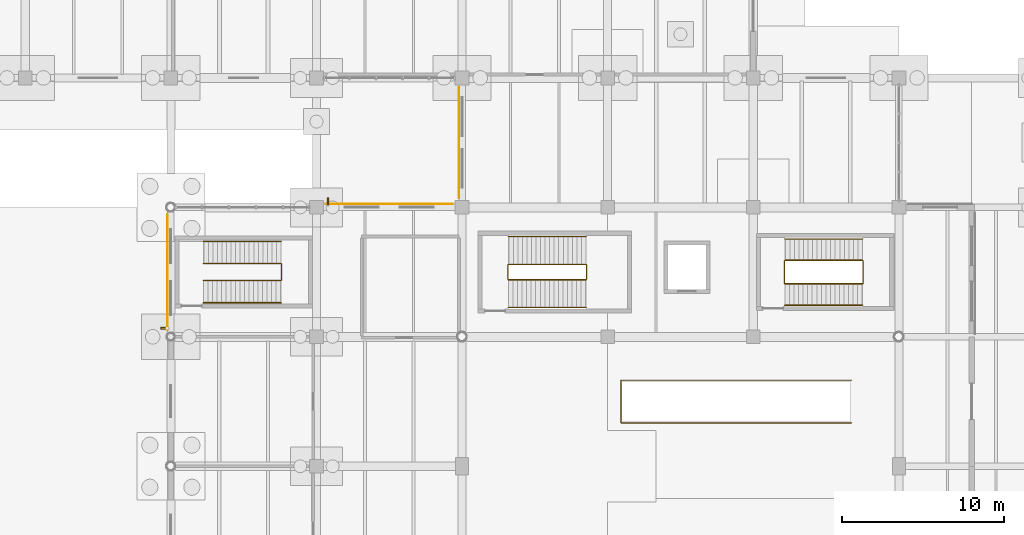
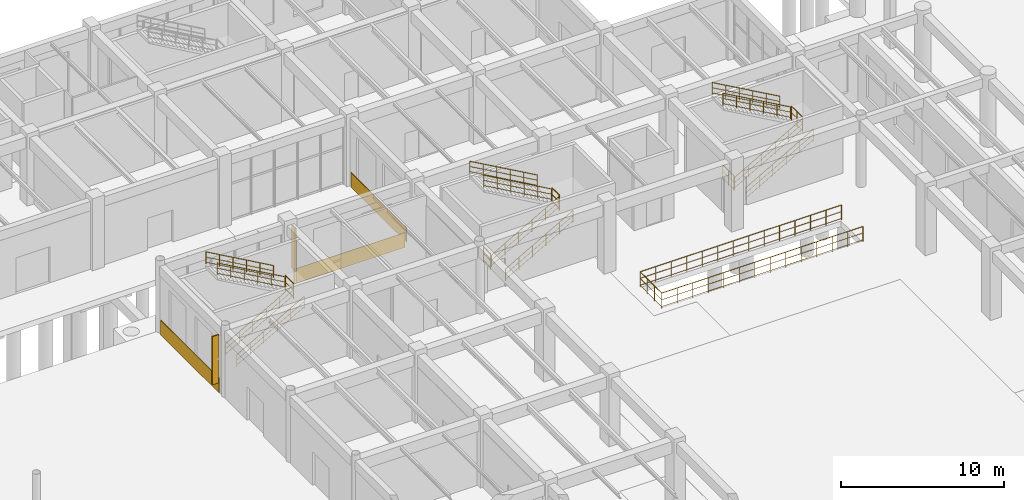
# One storey, part 113 of 121: 18 railings, 3 coverings, 2 shading devices.
"""IFC4 building model written with IfcOpenShell, lengths in metres."""

from ifc_helpers import new_model, si_unit, derived_unit, direction, frame, origin, origin_2d, place, context, subcontext, project, spatial, rectangle, circle, extrude, material, layer, layer_set, type_object, element, save


model = new_model("IFC4")

# Units and contexts
model_context = context("Model", 3, precision=1e-05, world=origin(), true_north=direction((0.0, 1.0)))
body_context = subcontext(model_context, "Body", "Model", "MODEL_VIEW")
ifc_project = project(units=[si_unit("LENGTHUNIT", "METRE"), si_unit("AREAUNIT", "SQUARE_METRE"), si_unit("VOLUMEUNIT", "CUBIC_METRE"), si_unit("PLANEANGLEUNIT", "RADIAN"), si_unit("MASSUNIT", "GRAM", prefix="KILO"), derived_unit("THERMALTRANSMITTANCEUNIT", [(si_unit("MASSUNIT", "GRAM", prefix="KILO"), 1), (si_unit("TIMEUNIT", "SECOND"), -3), (si_unit("THERMODYNAMICTEMPERATUREUNIT", "KELVIN"), -1)])], contexts=[model_context])

# Site, building, storey
site_placement = place(None, origin())
site = spatial("IfcSite", under=ifc_project, at=site_placement, CompositionType="ELEMENT")
building_placement = place(site_placement, origin())
building = spatial("IfcBuilding", under=site, at=building_placement, Name="Zhenchuan Archway Interchange", CompositionType="ELEMENT")
storey_placement = place(building_placement, origin())
storey = spatial("IfcBuildingStorey", under=building, at=storey_placement, Name="L00", CompositionType="ELEMENT", Elevation=0.0)

# Coverings
ifc_material_1 = material(Name="Granite Stone Cladding", Category="masonry")
ifc_layer = layer(ifc_material_1, 0.0400390625)
ifc_layer_set = layer_set([ifc_layer], Name="Granite Stone Cladding")
covering_type = type_object("IfcCoveringType", Name="COV_CLAD_GRANITE", PredefinedType="CLADDING", material=ifc_layer_set)
covering_1_placement = place(storey_placement, frame((17.802001953125, 83.9873046875, 0.0), z_axis=(0.0, 0.0, 1.0), x_axis=(0.0, 1.0, 0.0)))
element("IfcCovering", 1, at=covering_1_placement, inside=storey, type_object=covering_type, Name="Pearl-grey granite plinth band 011", PredefinedType="CLADDING", context=body_context, shape_type="SweptSolid", body=[
    extrude(rectangle(XDim=7.172607421875, YDim=0.0400390625, at=origin_2d()), origin(), (0.0, 0.0, 1.0), 1.10009765625),
])
covering_2_placement = place(storey_placement, frame((31.5, 88.197998046875, 0.0), z_axis=(0.0, 0.0, 1.0), x_axis=(1.0, 0.0, 0.0)))
element("IfcCovering", 2, at=covering_2_placement, inside=storey, type_object=covering_type, Name="Pearl-grey granite plinth band 013", PredefinedType="CLADDING", context=body_context, shape_type="SweptSolid", body=[
    extrude(rectangle(XDim=7.85400390625, YDim=0.0400390625, at=origin_2d()), origin(), (0.0, 0.0, 1.0), 1.10009765625),
])
covering_3_placement = place(storey_placement, frame((35.802001953125, 92.0, 0.0), z_axis=(0.0, 0.0, 1.0), x_axis=(0.0, 1.0, 0.0)))
element("IfcCovering", 3, at=covering_3_placement, inside=storey, type_object=covering_type, Name="Pearl-grey granite plinth band 014", PredefinedType="CLADDING", context=body_context, shape_type="SweptSolid", body=[
    extrude(rectangle(XDim=6.85400390625, YDim=0.0400390625, at=origin_2d()), origin(), (0.0, 0.0, 1.0), 1.10009765625),
])

# Railings
ifc_material_2 = material(Name="Painted Galvanised Steel", Category="steel")
railing_type_1 = type_object("IfcRailingType", Name="RL_GUARD_1150", PredefinedType="GUARDRAIL", material=ifc_material_2)
for number, where, name in (
    (4, (43.695068359375, 83.56494140625, 2.699951171875), "Stair ST-M2 half-landing slot guard (L00)"),
    (5, (38.8349609375, 83.56494140625, 0.0), "Stair ST-M2 floor well guard (L00)"),
):
    element("IfcRailing", number, at=place(storey_placement, frame(where)), inside=storey, type_object=railing_type_1, Name=name, PredefinedType="GUARDRAIL", context=body_context, shape_type="SweptSolid", body=[
        extrude(circle(Radius=0.02392578125, at=origin_2d()), frame((0.0, 0.0, 1.1259765625), z_axis=(0.0, 1.0, 0.0), x_axis=(-1.0, 0.0, 0.0)), (0.0, 0.0, 1.0), 0.8701171875),
        extrude(circle(Radius=0.01611328125, at=origin_2d()), frame((0.0, 0.0, 0.63232421875), z_axis=(0.0, 1.0, 0.0), x_axis=(-1.0, 0.0, 0.0)), (0.0, 0.0, 1.0), 0.8701171875),
        extrude(circle(Radius=0.01611328125, at=origin_2d()), frame((0.0, 0.0, 0.1201171875), z_axis=(0.0, 1.0, 0.0), x_axis=(-1.0, 0.0, 0.0)), (0.0, 0.0, 1.0), 0.8701171875),
        extrude(circle(Radius=0.02099609375, at=origin_2d()), origin(), (0.0, 0.0, 1.0), 1.1259765625),
        extrude(circle(Radius=0.02099609375, at=origin_2d()), frame((0.0, 0.8701171875, 0.0)), (0.0, 0.0, 1.0), 1.1259765625),
    ])
for number, where, name in (
    (6, (60.784912109375, 83.31494140625, 2.699951171875), "Stair ST-M4 half-landing slot guard (L00)"),
    (7, (55.925048828125, 83.31494140625, 0.0), "Stair ST-M4 floor well guard (L00)"),
):
    element("IfcRailing", number, at=place(storey_placement, frame(where)), inside=storey, type_object=railing_type_1, Name=name, PredefinedType="GUARDRAIL", context=body_context, shape_type="SweptSolid", body=[
        extrude(circle(Radius=0.02392578125, at=origin_2d()), frame((0.0, 0.0, 1.1259765625), z_axis=(0.0, 1.0, 0.0), x_axis=(-1.0, 0.0, 0.0)), (0.0, 0.0, 1.0), 1.3701171875),
        extrude(circle(Radius=0.01611328125, at=origin_2d()), frame((0.0, 0.0, 0.63232421875), z_axis=(0.0, 1.0, 0.0), x_axis=(-1.0, 0.0, 0.0)), (0.0, 0.0, 1.0), 1.3701171875),
        extrude(circle(Radius=0.01611328125, at=origin_2d()), frame((0.0, 0.0, 0.1201171875), z_axis=(0.0, 1.0, 0.0), x_axis=(-1.0, 0.0, 0.0)), (0.0, 0.0, 1.0), 1.3701171875),
        extrude(circle(Radius=0.02099609375, at=origin_2d()), origin(), (0.0, 0.0, 1.0), 1.1259765625),
        extrude(circle(Radius=0.02099609375, at=origin_2d()), frame((0.0, 0.68505859375, 0.0)), (0.0, 0.0, 1.0), 1.1259765625),
        extrude(circle(Radius=0.02099609375, at=origin_2d()), frame((0.0, 1.3701171875, 0.0)), (0.0, 0.0, 1.0), 1.1259765625),
    ])
railing_1_placement = place(storey_placement, frame((24.844970703125, 83.514892578125, 2.699951171875)))
element("IfcRailing", 8, at=railing_1_placement, inside=storey, type_object=railing_type_1, Name="Stair ST-B2 half-landing slot guard (L00)", PredefinedType="GUARDRAIL", context=body_context, shape_type="SweptSolid", body=[
    extrude(circle(Radius=0.02392578125, at=origin_2d()), frame((0.0, 0.0, 1.1259765625), z_axis=(0.0, 1.0, 0.0), x_axis=(-1.0, 0.0, 0.0)), (0.0, 0.0, 1.0), 0.97021484375),
    extrude(circle(Radius=0.01611328125, at=origin_2d()), frame((0.0, 0.0, 0.63232421875), z_axis=(0.0, 1.0, 0.0), x_axis=(-1.0, 0.0, 0.0)), (0.0, 0.0, 1.0), 0.97021484375),
    extrude(circle(Radius=0.01611328125, at=origin_2d()), frame((0.0, 0.0, 0.1201171875), z_axis=(0.0, 1.0, 0.0), x_axis=(-1.0, 0.0, 0.0)), (0.0, 0.0, 1.0), 0.97021484375),
    extrude(circle(Radius=0.02099609375, at=origin_2d()), origin(), (0.0, 0.0, 1.0), 1.1259765625),
    extrude(circle(Radius=0.02099609375, at=origin_2d()), frame((0.0, 0.97021484375, 0.0)), (0.0, 0.0, 1.0), 1.1259765625),
])
railing_2_placement = place(storey_placement, frame((60.080078125, 74.679931640625, 0.0)))
element("IfcRailing", 9, at=railing_2_placement, inside=storey, type_object=railing_type_1, Name="Stair ST-P4 void perimeter guard (L00)", PredefinedType="GUARDRAIL", context=body_context, shape_type="SweptSolid", body=[
    extrude(circle(Radius=0.02392578125, at=origin_2d()), frame((0.0, 0.0, 1.1259765625), z_axis=(-1.0, 0.0, 0.0), x_axis=(0.0, -1.0, 0.0)), (0.0, 0.0, 1.0), 14.260009765625),
    extrude(circle(Radius=0.01611328125, at=origin_2d()), frame((0.0, 0.0, 0.63232421875), z_axis=(-1.0, 0.0, 0.0), x_axis=(0.0, -1.0, 0.0)), (0.0, 0.0, 1.0), 14.260009765625),
    extrude(circle(Radius=0.01611328125, at=origin_2d()), frame((0.0, 0.0, 0.1201171875), z_axis=(-1.0, 0.0, 0.0), x_axis=(0.0, -1.0, 0.0)), (0.0, 0.0, 1.0), 14.260009765625),
    extrude(circle(Radius=0.02392578125, at=origin_2d()), frame((-14.260009765625, 0.0, 1.1259765625), z_axis=(0.0, 1.0, 0.0), x_axis=(-1.0, 0.0, 0.0)), (0.0, 0.0, 1.0), 2.64013671875),
    extrude(circle(Radius=0.01611328125, at=origin_2d()), frame((-14.260009765625, 0.0, 0.63232421875), z_axis=(0.0, 1.0, 0.0), x_axis=(-1.0, 0.0, 0.0)), (0.0, 0.0, 1.0), 2.64013671875),
    extrude(circle(Radius=0.01611328125, at=origin_2d()), frame((-14.260009765625, 0.0, 0.1201171875), z_axis=(0.0, 1.0, 0.0), x_axis=(-1.0, 0.0, 0.0)), (0.0, 0.0, 1.0), 2.64013671875),
    extrude(circle(Radius=0.02392578125, at=origin_2d()), frame((-14.260009765625, 2.64013671875, 1.1259765625), z_axis=(1.0, 0.0, 0.0), x_axis=(0.0, 1.0, 0.0)), (0.0, 0.0, 1.0), 14.260009765625),
    extrude(circle(Radius=0.01611328125, at=origin_2d()), frame((-14.260009765625, 2.64013671875, 0.63232421875), z_axis=(1.0, 0.0, 0.0), x_axis=(0.0, 1.0, 0.0)), (0.0, 0.0, 1.0), 14.260009765625),
    extrude(circle(Radius=0.01611328125, at=origin_2d()), frame((-14.260009765625, 2.64013671875, 0.1201171875), z_axis=(1.0, 0.0, 0.0), x_axis=(0.0, 1.0, 0.0)), (0.0, 0.0, 1.0), 14.260009765625),
    extrude(circle(Radius=0.02099609375, at=origin_2d()), origin(), (0.0, 0.0, 1.0), 1.1259765625),
    extrude(circle(Radius=0.02099609375, at=origin_2d()), frame((-1.096923828125, 0.0, 0.0)), (0.0, 0.0, 1.0), 1.1259765625),
    extrude(circle(Radius=0.02099609375, at=origin_2d()), frame((-2.19384765625, 0.0, 0.0)), (0.0, 0.0, 1.0), 1.1259765625),
    extrude(circle(Radius=0.02099609375, at=origin_2d()), frame((-3.290771484375, 0.0, 0.0)), (0.0, 0.0, 1.0), 1.1259765625),
    extrude(circle(Radius=0.02099609375, at=origin_2d()), frame((-4.3876953125, 0.0, 0.0)), (0.0, 0.0, 1.0), 1.1259765625),
    extrude(circle(Radius=0.02099609375, at=origin_2d()), frame((-5.484619140625, 0.0, 0.0)), (0.0, 0.0, 1.0), 1.1259765625),
    extrude(circle(Radius=0.02099609375, at=origin_2d()), frame((-6.58154296875, 0.0, 0.0)), (0.0, 0.0, 1.0), 1.1259765625),
    extrude(circle(Radius=0.02099609375, at=origin_2d()), frame((-7.678466796875, 0.0, 0.0)), (0.0, 0.0, 1.0), 1.1259765625),
    extrude(circle(Radius=0.02099609375, at=origin_2d()), frame((-8.775390625, 0.0, 0.0)), (0.0, 0.0, 1.0), 1.1259765625),
    extrude(circle(Radius=0.02099609375, at=origin_2d()), frame((-9.872314453125, 0.0, 0.0)), (0.0, 0.0, 1.0), 1.1259765625),
    extrude(circle(Radius=0.02099609375, at=origin_2d()), frame((-10.96923828125, 0.0, 0.0)), (0.0, 0.0, 1.0), 1.1259765625),
    extrude(circle(Radius=0.02099609375, at=origin_2d()), frame((-12.066162109375, 0.0, 0.0)), (0.0, 0.0, 1.0), 1.1259765625),
    extrude(circle(Radius=0.02099609375, at=origin_2d()), frame((-13.1630859375, 0.0, 0.0)), (0.0, 0.0, 1.0), 1.1259765625),
    extrude(circle(Radius=0.02099609375, at=origin_2d()), frame((-14.260009765625, 0.0, 0.0)), (0.0, 0.0, 1.0), 1.1259765625),
    extrude(circle(Radius=0.02099609375, at=origin_2d()), frame((-14.260009765625, 0.880126953125, 0.0)), (0.0, 0.0, 1.0), 1.1259765625),
    extrude(circle(Radius=0.02099609375, at=origin_2d()), frame((-14.260009765625, 1.760009765625, 0.0)), (0.0, 0.0, 1.0), 1.1259765625),
    extrude(circle(Radius=0.02099609375, at=origin_2d()), frame((-14.260009765625, 2.64013671875, 0.0)), (0.0, 0.0, 1.0), 1.1259765625),
    extrude(circle(Radius=0.02099609375, at=origin_2d()), frame((-13.1630859375, 2.64013671875, 0.0)), (0.0, 0.0, 1.0), 1.1259765625),
    extrude(circle(Radius=0.02099609375, at=origin_2d()), frame((-12.066162109375, 2.64013671875, 0.0)), (0.0, 0.0, 1.0), 1.1259765625),
    extrude(circle(Radius=0.02099609375, at=origin_2d()), frame((-10.96923828125, 2.64013671875, 0.0)), (0.0, 0.0, 1.0), 1.1259765625),
    extrude(circle(Radius=0.02099609375, at=origin_2d()), frame((-9.872314453125, 2.64013671875, 0.0)), (0.0, 0.0, 1.0), 1.1259765625),
    extrude(circle(Radius=0.02099609375, at=origin_2d()), frame((-8.775390625, 2.64013671875, 0.0)), (0.0, 0.0, 1.0), 1.1259765625),
    extrude(circle(Radius=0.02099609375, at=origin_2d()), frame((-7.678466796875, 2.64013671875, 0.0)), (0.0, 0.0, 1.0), 1.1259765625),
    extrude(circle(Radius=0.02099609375, at=origin_2d()), frame((-6.58154296875, 2.64013671875, 0.0)), (0.0, 0.0, 1.0), 1.1259765625),
    extrude(circle(Radius=0.02099609375, at=origin_2d()), frame((-5.484619140625, 2.64013671875, 0.0)), (0.0, 0.0, 1.0), 1.1259765625),
    extrude(circle(Radius=0.02099609375, at=origin_2d()), frame((-4.3876953125, 2.64013671875, 0.0)), (0.0, 0.0, 1.0), 1.1259765625),
    extrude(circle(Radius=0.02099609375, at=origin_2d()), frame((-3.290771484375, 2.64013671875, 0.0)), (0.0, 0.0, 1.0), 1.1259765625),
    extrude(circle(Radius=0.02099609375, at=origin_2d()), frame((-2.19384765625, 2.64013671875, 0.0)), (0.0, 0.0, 1.0), 1.1259765625),
    extrude(circle(Radius=0.02099609375, at=origin_2d()), frame((-1.096923828125, 2.64013671875, 0.0)), (0.0, 0.0, 1.0), 1.1259765625),
    extrude(circle(Radius=0.02099609375, at=origin_2d()), frame((0.0, 2.64013671875, 0.0)), (0.0, 0.0, 1.0), 1.1259765625),
])
ifc_material_3 = material(Name="Stainless Steel 304", Category="steel")
railing_type_2 = type_object("IfcRailingType", Name="RL_HAND_920", PredefinedType="HANDRAIL", material=ifc_material_3)
for number, where, name in (
    (10, (38.875, 81.804931640625, 0.14990234375), "Stair ST-M2 handrail 1 (L00)"),
    (11, (38.875, 83.52490234375, 0.14990234375), "Stair ST-M2 handrail 2 (L00)"),
):
    element("IfcRailing", number, at=place(storey_placement, frame(where)), inside=storey, type_object=railing_type_2, Name=name, PredefinedType="HANDRAIL", context=body_context, shape_type="SweptSolid", body=[
        extrude(circle(Radius=0.02392578125, at=origin_2d()), frame((0.0, 0.0, 0.89599609375), z_axis=(0.87068456393, 0.0, 0.491841834469), x_axis=(0.0, 1.0, 0.0)), (0.0, 0.0, 1.0), 5.489990234375),
        extrude(circle(Radius=0.01611328125, at=origin_2d()), frame((0.0, 0.0, 0.505859375), z_axis=(0.87068456393, 0.0, 0.491841834469), x_axis=(0.0, 1.0, 0.0)), (0.0, 0.0, 1.0), 5.489990234375),
        extrude(circle(Radius=0.01611328125, at=origin_2d()), frame((0.0, 0.0, 0.1201171875), z_axis=(0.87068456393, 0.0, 0.491841834469), x_axis=(0.0, 1.0, 0.0)), (0.0, 0.0, 1.0), 5.489990234375),
        extrude(circle(Radius=0.02099609375, at=origin_2d()), origin(), (0.0, 0.0, 1.0), 0.89599609375),
        extrude(circle(Radius=0.02099609375, at=origin_2d()), frame((0.9560546875, 0.0, 0.5400390625)), (0.0, 0.0, 1.0), 0.89599609375),
        extrude(circle(Radius=0.02099609375, at=origin_2d()), frame((1.912109375, 0.0, 1.080078125)), (0.0, 0.0, 1.0), 0.89599609375),
        extrude(circle(Radius=0.02099609375, at=origin_2d()), frame((2.867919921875, 0.0, 1.6201171875)), (0.0, 0.0, 1.0), 0.89599609375),
        extrude(circle(Radius=0.02099609375, at=origin_2d()), frame((3.823974609375, 0.0, 2.16015625)), (0.0, 0.0, 1.0), 0.89599609375),
        extrude(circle(Radius=0.02099609375, at=origin_2d()), frame((4.780029296875, 0.0, 2.7001953125)), (0.0, 0.0, 1.0), 0.89599609375),
    ])
for number, where, name in (
    (12, (43.655029296875, 84.47509765625, 2.85009765625), "Stair ST-M2 handrail 3 (L00)"),
    (13, (43.655029296875, 86.195068359375, 2.85009765625), "Stair ST-M2 handrail 4 (L00)"),
):
    element("IfcRailing", number, at=place(storey_placement, frame(where)), inside=storey, type_object=railing_type_2, Name=name, PredefinedType="HANDRAIL", context=body_context, shape_type="SweptSolid", body=[
        extrude(circle(Radius=0.02392578125, at=origin_2d()), frame((0.0, 0.0, 0.89599609375), z_axis=(-0.870703607627, 0.0, 0.49180812078), x_axis=(0.0, -1.0, 0.0)), (0.0, 0.0, 1.0), 5.48974609375),
        extrude(circle(Radius=0.01611328125, at=origin_2d()), frame((0.0, 0.0, 0.505859375), z_axis=(-0.870703607627, 0.0, 0.49180812078), x_axis=(0.0, -1.0, 0.0)), (0.0, 0.0, 1.0), 5.48974609375),
        extrude(circle(Radius=0.01611328125, at=origin_2d()), frame((0.0, 0.0, 0.1201171875), z_axis=(-0.870703607627, 0.0, 0.49180812078), x_axis=(0.0, -1.0, 0.0)), (0.0, 0.0, 1.0), 5.48974609375),
        extrude(circle(Radius=0.02099609375, at=origin_2d()), origin(), (0.0, 0.0, 1.0), 0.89599609375),
        extrude(circle(Radius=0.02099609375, at=origin_2d()), frame((-0.9560546875, 0.0, 0.5400390625)), (0.0, 0.0, 1.0), 0.89599609375),
        extrude(circle(Radius=0.02099609375, at=origin_2d()), frame((-1.912109375, 0.0, 1.080078125)), (0.0, 0.0, 1.0), 0.89599609375),
        extrude(circle(Radius=0.02099609375, at=origin_2d()), frame((-2.867919921875, 0.0, 1.619873046875)), (0.0, 0.0, 1.0), 0.89599609375),
        extrude(circle(Radius=0.02099609375, at=origin_2d()), frame((-3.823974609375, 0.0, 2.159912109375)), (0.0, 0.0, 1.0), 0.89599609375),
        extrude(circle(Radius=0.02099609375, at=origin_2d()), frame((-4.780029296875, 0.0, 2.699951171875)), (0.0, 0.0, 1.0), 0.89599609375),
    ])
for number, where, name in (
    (14, (55.965087890625, 81.955078125, 0.14990234375), "Stair ST-M4 handrail 1 (L00)"),
    (15, (55.965087890625, 83.27490234375, 0.14990234375), "Stair ST-M4 handrail 2 (L00)"),
):
    element("IfcRailing", number, at=place(storey_placement, frame(where)), inside=storey, type_object=railing_type_2, Name=name, PredefinedType="HANDRAIL", context=body_context, shape_type="SweptSolid", body=[
        extrude(circle(Radius=0.02392578125, at=origin_2d()), frame((0.0, 0.0, 0.89599609375), z_axis=(0.87068456393, 0.0, 0.491841834469), x_axis=(0.0, 1.0, 0.0)), (0.0, 0.0, 1.0), 5.489990234375),
        extrude(circle(Radius=0.01611328125, at=origin_2d()), frame((0.0, 0.0, 0.505859375), z_axis=(0.87068456393, 0.0, 0.491841834469), x_axis=(0.0, 1.0, 0.0)), (0.0, 0.0, 1.0), 5.489990234375),
        extrude(circle(Radius=0.01611328125, at=origin_2d()), frame((0.0, 0.0, 0.1201171875), z_axis=(0.87068456393, 0.0, 0.491841834469), x_axis=(0.0, 1.0, 0.0)), (0.0, 0.0, 1.0), 5.489990234375),
        extrude(circle(Radius=0.02099609375, at=origin_2d()), origin(), (0.0, 0.0, 1.0), 0.89599609375),
        extrude(circle(Radius=0.02099609375, at=origin_2d()), frame((0.9560546875, 0.0, 0.5400390625)), (0.0, 0.0, 1.0), 0.89599609375),
        extrude(circle(Radius=0.02099609375, at=origin_2d()), frame((1.912109375, 0.0, 1.080078125)), (0.0, 0.0, 1.0), 0.89599609375),
        extrude(circle(Radius=0.02099609375, at=origin_2d()), frame((2.867919921875, 0.0, 1.6201171875)), (0.0, 0.0, 1.0), 0.89599609375),
        extrude(circle(Radius=0.02099609375, at=origin_2d()), frame((3.823974609375, 0.0, 2.16015625)), (0.0, 0.0, 1.0), 0.89599609375),
        extrude(circle(Radius=0.02099609375, at=origin_2d()), frame((4.780029296875, 0.0, 2.7001953125)), (0.0, 0.0, 1.0), 0.89599609375),
    ])
for number, where, name in (
    (16, (60.7451171875, 84.72509765625, 2.85009765625), "Stair ST-M4 handrail 3 (L00)"),
    (17, (60.7451171875, 86.044921875, 2.85009765625), "Stair ST-M4 handrail 4 (L00)"),
):
    element("IfcRailing", number, at=place(storey_placement, frame(where)), inside=storey, type_object=railing_type_2, Name=name, PredefinedType="HANDRAIL", context=body_context, shape_type="SweptSolid", body=[
        extrude(circle(Radius=0.02392578125, at=origin_2d()), frame((0.0, 0.0, 0.89599609375), z_axis=(-0.870703607627, 0.0, 0.49180812078), x_axis=(0.0, -1.0, 0.0)), (0.0, 0.0, 1.0), 5.48974609375),
        extrude(circle(Radius=0.01611328125, at=origin_2d()), frame((0.0, 0.0, 0.505859375), z_axis=(-0.870703607627, 0.0, 0.49180812078), x_axis=(0.0, -1.0, 0.0)), (0.0, 0.0, 1.0), 5.48974609375),
        extrude(circle(Radius=0.01611328125, at=origin_2d()), frame((0.0, 0.0, 0.1201171875), z_axis=(-0.870703607627, 0.0, 0.49180812078), x_axis=(0.0, -1.0, 0.0)), (0.0, 0.0, 1.0), 5.48974609375),
        extrude(circle(Radius=0.02099609375, at=origin_2d()), origin(), (0.0, 0.0, 1.0), 0.89599609375),
        extrude(circle(Radius=0.02099609375, at=origin_2d()), frame((-0.9560546875, 0.0, 0.5400390625)), (0.0, 0.0, 1.0), 0.89599609375),
        extrude(circle(Radius=0.02099609375, at=origin_2d()), frame((-1.912109375, 0.0, 1.080078125)), (0.0, 0.0, 1.0), 0.89599609375),
        extrude(circle(Radius=0.02099609375, at=origin_2d()), frame((-2.867919921875, 0.0, 1.619873046875)), (0.0, 0.0, 1.0), 0.89599609375),
        extrude(circle(Radius=0.02099609375, at=origin_2d()), frame((-3.823974609375, 0.0, 2.159912109375)), (0.0, 0.0, 1.0), 0.89599609375),
        extrude(circle(Radius=0.02099609375, at=origin_2d()), frame((-4.780029296875, 0.0, 2.699951171875)), (0.0, 0.0, 1.0), 0.89599609375),
    ])
for number, where, name in (
    (18, (20.02490234375, 82.10498046875, 0.14990234375), "Stair ST-B2 handrail 1 (L00)"),
    (19, (20.02490234375, 83.47509765625, 0.14990234375), "Stair ST-B2 handrail 2 (L00)"),
):
    element("IfcRailing", number, at=place(storey_placement, frame(where)), inside=storey, type_object=railing_type_2, Name=name, PredefinedType="HANDRAIL", context=body_context, shape_type="SweptSolid", body=[
        extrude(circle(Radius=0.02392578125, at=origin_2d()), frame((0.0, 0.0, 0.89599609375), z_axis=(0.87068456393, 0.0, 0.491841834469), x_axis=(0.0, 1.0, 0.0)), (0.0, 0.0, 1.0), 5.489990234375),
        extrude(circle(Radius=0.01611328125, at=origin_2d()), frame((0.0, 0.0, 0.505859375), z_axis=(0.87068456393, 0.0, 0.491841834469), x_axis=(0.0, 1.0, 0.0)), (0.0, 0.0, 1.0), 5.489990234375),
        extrude(circle(Radius=0.01611328125, at=origin_2d()), frame((0.0, 0.0, 0.1201171875), z_axis=(0.87068456393, 0.0, 0.491841834469), x_axis=(0.0, 1.0, 0.0)), (0.0, 0.0, 1.0), 5.489990234375),
        extrude(circle(Radius=0.02099609375, at=origin_2d()), origin(), (0.0, 0.0, 1.0), 0.89599609375),
        extrude(circle(Radius=0.02099609375, at=origin_2d()), frame((0.9560546875, 0.0, 0.5400390625)), (0.0, 0.0, 1.0), 0.89599609375),
        extrude(circle(Radius=0.02099609375, at=origin_2d()), frame((1.912109375, 0.0, 1.080078125)), (0.0, 0.0, 1.0), 0.89599609375),
        extrude(circle(Radius=0.02099609375, at=origin_2d()), frame((2.867919921875, 0.0, 1.6201171875)), (0.0, 0.0, 1.0), 0.89599609375),
        extrude(circle(Radius=0.02099609375, at=origin_2d()), frame((3.823974609375, 0.0, 2.16015625)), (0.0, 0.0, 1.0), 0.89599609375),
        extrude(circle(Radius=0.02099609375, at=origin_2d()), frame((4.780029296875, 0.0, 2.7001953125)), (0.0, 0.0, 1.0), 0.89599609375),
    ])
for number, where, name in (
    (20, (24.804931640625, 84.52490234375, 2.85009765625), "Stair ST-B2 handrail 3 (L00)"),
    (21, (24.804931640625, 85.89501953125, 2.85009765625), "Stair ST-B2 handrail 4 (L00)"),
):
    element("IfcRailing", number, at=place(storey_placement, frame(where)), inside=storey, type_object=railing_type_2, Name=name, PredefinedType="HANDRAIL", context=body_context, shape_type="SweptSolid", body=[
        extrude(circle(Radius=0.02392578125, at=origin_2d()), frame((0.0, 0.0, 0.89599609375), z_axis=(-0.870703607627, 0.0, 0.49180812078), x_axis=(0.0, -1.0, 0.0)), (0.0, 0.0, 1.0), 5.48974609375),
        extrude(circle(Radius=0.01611328125, at=origin_2d()), frame((0.0, 0.0, 0.505859375), z_axis=(-0.870703607627, 0.0, 0.49180812078), x_axis=(0.0, -1.0, 0.0)), (0.0, 0.0, 1.0), 5.48974609375),
        extrude(circle(Radius=0.01611328125, at=origin_2d()), frame((0.0, 0.0, 0.1201171875), z_axis=(-0.870703607627, 0.0, 0.49180812078), x_axis=(0.0, -1.0, 0.0)), (0.0, 0.0, 1.0), 5.48974609375),
        extrude(circle(Radius=0.02099609375, at=origin_2d()), origin(), (0.0, 0.0, 1.0), 0.89599609375),
        extrude(circle(Radius=0.02099609375, at=origin_2d()), frame((-0.9560546875, 0.0, 0.5400390625)), (0.0, 0.0, 1.0), 0.89599609375),
        extrude(circle(Radius=0.02099609375, at=origin_2d()), frame((-1.912109375, 0.0, 1.080078125)), (0.0, 0.0, 1.0), 0.89599609375),
        extrude(circle(Radius=0.02099609375, at=origin_2d()), frame((-2.867919921875, 0.0, 1.619873046875)), (0.0, 0.0, 1.0), 0.89599609375),
        extrude(circle(Radius=0.02099609375, at=origin_2d()), frame((-3.823974609375, 0.0, 2.159912109375)), (0.0, 0.0, 1.0), 0.89599609375),
        extrude(circle(Radius=0.02099609375, at=origin_2d()), frame((-4.780029296875, 0.0, 2.699951171875)), (0.0, 0.0, 1.0), 0.89599609375),
    ])

# Shading devices
ifc_material_4 = material(Name="Terracotta Ceramic", Category="masonry")
shading_device_type_1 = type_object("IfcShadingDeviceType", Name="SHD_FIN_1", PredefinedType="USERDEFINED", material=ifc_material_4)
shading_device_1_placement = place(storey_placement, frame((27.702880859375, 88.384033203125, 0.93017578125), z_axis=(0.0, 0.0, 1.0), x_axis=(1.0, 0.0, 0.0)))
element("IfcShadingDevice", 22, at=shading_device_1_placement, inside=storey, type_object=shading_device_type_1, Name="Terracotta vertical solar fin L00-003", ObjectType="FINS", PredefinedType="USERDEFINED", context=body_context, shape_type="SweptSolid", body=[
    extrude(rectangle(XDim=0.090087890625, YDim=0.419921875, at=origin_2d()), origin(), (0.0, 0.0, 1.0), 3.199951171875),
])
shading_device_type_2 = type_object("IfcShadingDeviceType", Name="SHD_FIN_3", PredefinedType="USERDEFINED", material=ifc_material_4)
shading_device_2_placement = place(storey_placement, frame((17.595947265625, 80.531005859375, 0.699951171875), z_axis=(0.0, 0.0, 1.0), x_axis=(0.0, 1.0, 0.0)))
element("IfcShadingDevice", 23, at=shading_device_2_placement, inside=storey, type_object=shading_device_type_2, Name="Terracotta vertical solar fin L00-002", ObjectType="FINS", PredefinedType="USERDEFINED", context=body_context, shape_type="SweptSolid", body=[
    extrude(rectangle(XDim=0.10009765625, YDim=0.4599609375, at=origin_2d()), origin(), (0.0, 0.0, 1.0), 3.60009765625),
])

save(model, "model.ifc")
